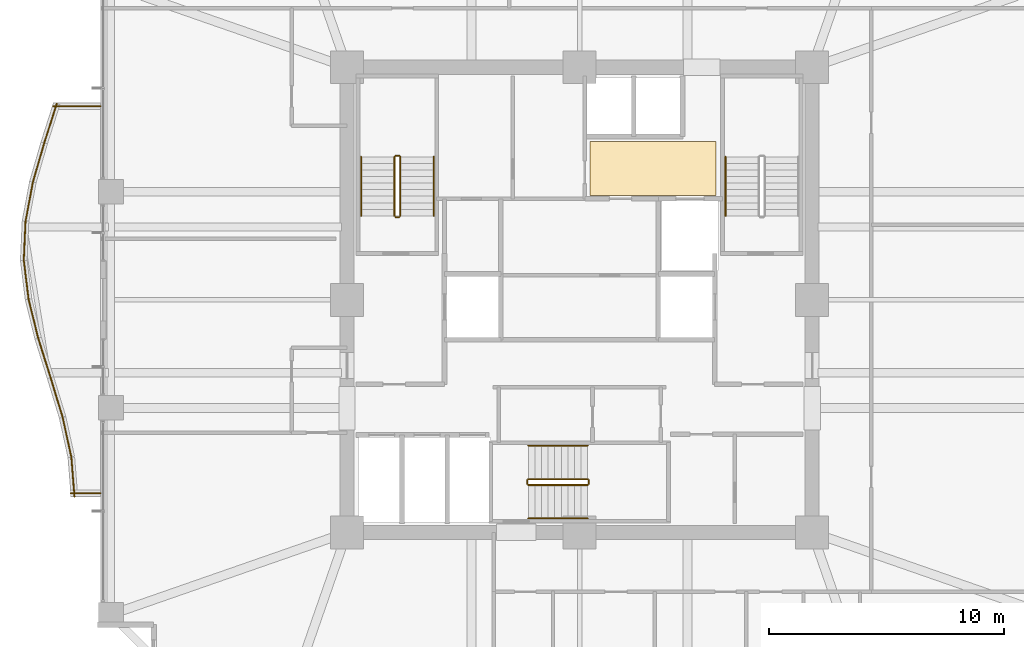
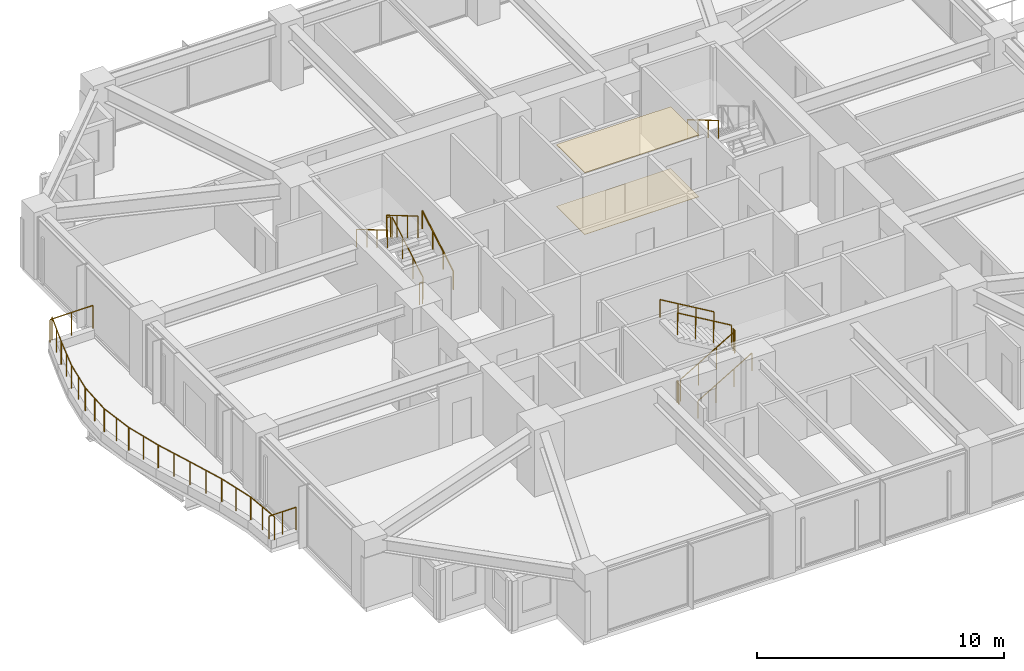
# One storey, part 35 of 36: 25 railings, 2 coverings.
"""IFC4 building model written with IfcOpenShell, lengths in metres."""

from ifc_helpers import new_model, si_unit, direction, frame, origin, origin_2d, place, context, subcontext, project, spatial, polyline, circle, outline, extrude, material, layer, layer_set, type_object, element, save


model = new_model("IFC4")

# Units and contexts
model_context = context("Model", 3, precision=1e-05, world=origin(), true_north=direction((0.0, 1.0)))
body_context = subcontext(model_context, "Body", "Model", "MODEL_VIEW")
ifc_project = project(units=[si_unit("LENGTHUNIT", "METRE"), si_unit("AREAUNIT", "SQUARE_METRE"), si_unit("VOLUMEUNIT", "CUBIC_METRE"), si_unit("PLANEANGLEUNIT", "RADIAN"), si_unit("MASSUNIT", "GRAM", prefix="KILO")], contexts=[model_context])

# Site, building, storey
site_placement = place(None, origin())
site = spatial("IfcSite", under=ifc_project, at=site_placement, CompositionType="ELEMENT")
building_placement = place(site_placement, origin())
building = spatial("IfcBuilding", under=site, at=building_placement, Name="Kolvaren Belvedere", CompositionType="ELEMENT")
storey_placement = place(building_placement, frame((0.0, 0.0, 95.300048828125)))
storey = spatial("IfcBuildingStorey", under=building, at=storey_placement, Name="L27", CompositionType="ELEMENT", Elevation=95.300048828125)

# Coverings
ifc_material_1 = material(Name="Acoustic perforated gypsum board", Category="gypsum")
ifc_layer_1 = layer(ifc_material_1, 0.02490234375)
ifc_layer_set_1 = layer_set([ifc_layer_1], Name="Acoustic perforated gypsum board")
covering_type_1 = type_object("IfcCoveringType", Name="COV-CEIL-GYP", PredefinedType="CEILING", material=ifc_layer_set_1)
covering_1_placement = place(storey_placement, frame((0.0, 0.0, 3.054931640625)))
element("IfcCovering", 1, at=covering_1_placement, inside=storey, type_object=covering_type_1, Name="L27 Lift Lobby Acoustic Baffle Ceiling", PredefinedType="CEILING", context=body_context, shape_type="SweptSolid", body=[
    extrude(outline(polyline([(0.449951171875, 4.449951171875), (5.800048828125, 4.449951171875), (5.800048828125, 6.75), (0.449951171875, 6.75), (0.449951171875, 4.449951171875)])), origin(), (0.0, 0.0, 1.0), 0.02490234375),
])
ifc_material_2 = material(Name="Engineered Pacific white oak", Category="timber")
ifc_layer_2 = layer(ifc_material_2, 0.02001953125)
ifc_layer_set_2 = layer_set([ifc_layer_2], Name="Engineered Pacific white oak")
covering_type_2 = type_object("IfcCoveringType", Name="COV-FLR-OAK", PredefinedType="FLOORING", material=ifc_layer_set_2)
covering_2_placement = place(storey_placement, origin())
element("IfcCovering", 2, at=covering_2_placement, inside=storey, type_object=covering_type_2, Name="L27 Lift Lobby Finish Flooring", PredefinedType="FLOORING", context=body_context, shape_type="SweptSolid", body=[
    extrude(outline(polyline([(0.449951171875, 4.449951171875), (5.800048828125, 4.449951171875), (5.800048828125, 6.75), (0.449951171875, 6.75), (0.449951171875, 4.449951171875)])), origin(), (0.0, 0.0, 1.0), 0.02001953125),
])

# Railings
ifc_material_3 = material(Name="Anodised pale-metal aluminium & laminated glass guard", Category="aluminium")
railing_type_1 = type_object("IfcRailingType", Name="RL-GUARD-1150", PredefinedType="GUARDRAIL", material=ifc_material_3)
railing_1_placement = place(storey_placement, frame((-22.25390625, 8.351318359375, 0.3798828125)))
element("IfcRailing", 3, at=railing_1_placement, inside=storey, type_object=railing_type_1, Name="L27 Exterior Deck Safety Guard BAL-W-1", PredefinedType="GUARDRAIL", context=body_context, shape_type="SweptSolid", body=[
    extrude(circle(Radius=0.02392578125, at=origin_2d()), frame((0.0, 0.0, 1.1259765625), z_axis=(-0.304032153573, -0.952661770826, 0.0), x_axis=(0.952661770826, -0.304032153573, 0.0)), (0.0, 0.0, 1.0), 1.763427734375),
    extrude(circle(Radius=0.02099609375, at=origin_2d()), origin(), (0.0, 0.0, 1.0), 1.101806640625),
    extrude(circle(Radius=0.02099609375, at=origin_2d()), frame((-0.26806640625, -0.83984375, 0.0)), (0.0, 0.0, 1.0), 1.101806640625),
    extrude(circle(Radius=0.02099609375, at=origin_2d()), frame((-0.5361328125, -1.679931640625, 0.0)), (0.0, 0.0, 1.0), 1.101806640625),
])
railing_2_placement = place(storey_placement, frame((-22.788818359375, 6.675537109375, 0.3798828125)))
element("IfcRailing", 4, at=railing_2_placement, inside=storey, type_object=railing_type_1, Name="L27 Exterior Deck Safety Guard BAL-W-2", PredefinedType="GUARDRAIL", context=body_context, shape_type="SweptSolid", body=[
    extrude(circle(Radius=0.02392578125, at=origin_2d()), frame((0.0, 0.0, 1.1259765625), z_axis=(-0.277817391164, -0.960633903819, 0.0), x_axis=(0.960633903819, -0.277817391164, 0.0)), (0.0, 0.0, 1.0), 1.748779296875),
    extrude(circle(Radius=0.02099609375, at=origin_2d()), origin(), (0.0, 0.0, 1.0), 1.101806640625),
    extrude(circle(Radius=0.02099609375, at=origin_2d()), frame((-0.242919921875, -0.83984375, 0.0)), (0.0, 0.0, 1.0), 1.101806640625),
    extrude(circle(Radius=0.02099609375, at=origin_2d()), frame((-0.48583984375, -1.679931640625, 0.0)), (0.0, 0.0, 1.0), 1.101806640625),
])
railing_3_placement = place(storey_placement, frame((-23.271240234375, 5.010498046875, 0.3798828125)))
element("IfcRailing", 5, at=railing_3_placement, inside=storey, type_object=railing_type_1, Name="L27 Exterior Deck Safety Guard BAL-W-3", PredefinedType="GUARDRAIL", context=body_context, shape_type="SweptSolid", body=[
    extrude(circle(Radius=0.02392578125, at=origin_2d()), frame((0.0, 0.0, 1.1259765625), z_axis=(-0.184650661912, -0.982804219087, 0.0), x_axis=(0.982804219087, -0.184650661912, 0.0)), (0.0, 0.0, 1.0), 1.70947265625),
    extrude(circle(Radius=0.02099609375, at=origin_2d()), origin(), (0.0, 0.0, 1.0), 1.101806640625),
    extrude(circle(Radius=0.02099609375, at=origin_2d()), frame((-0.15771484375, -0.840087890625, 0.0)), (0.0, 0.0, 1.0), 1.101806640625),
    extrude(circle(Radius=0.02099609375, at=origin_2d()), frame((-0.315673828125, -1.68017578125, 0.0)), (0.0, 0.0, 1.0), 1.101806640625),
])
railing_4_placement = place(storey_placement, frame((-23.58447265625, 3.352783203125, 0.3798828125)))
element("IfcRailing", 6, at=railing_4_placement, inside=storey, type_object=railing_type_1, Name="L27 Exterior Deck Safety Guard BAL-W-4", PredefinedType="GUARDRAIL", context=body_context, shape_type="SweptSolid", body=[
    extrude(circle(Radius=0.02392578125, at=origin_2d()), frame((0.0, 0.0, 1.1259765625), z_axis=(-0.045005941428, -0.998986719249, 0.0), x_axis=(0.998986719249, -0.045005941428, 0.0)), (0.0, 0.0, 1.0), 1.681640625),
    extrude(circle(Radius=0.02099609375, at=origin_2d()), origin(), (0.0, 0.0, 1.0), 1.101806640625),
    extrude(circle(Radius=0.02099609375, at=origin_2d()), frame((-0.037841796875, -0.83984375, 0.0)), (0.0, 0.0, 1.0), 1.101806640625),
    extrude(circle(Radius=0.02099609375, at=origin_2d()), frame((-0.07568359375, -1.679931640625, 0.0)), (0.0, 0.0, 1.0), 1.101806640625),
])
railing_5_placement = place(storey_placement, frame((-23.6611328125, 1.699462890625, 0.3798828125)))
element("IfcRailing", 7, at=railing_5_placement, inside=storey, type_object=railing_type_1, Name="L27 Exterior Deck Safety Guard BAL-W-5", PredefinedType="GUARDRAIL", context=body_context, shape_type="SweptSolid", body=[
    extrude(circle(Radius=0.02392578125, at=origin_2d()), frame((0.0, 0.0, 1.1259765625), z_axis=(0.121886315522, -0.99254406758, 0.0), x_axis=(0.99254406758, 0.121886315522, 0.0)), (0.0, 0.0, 1.0), 1.692626953125),
    extrude(circle(Radius=0.02099609375, at=origin_2d()), origin(), (0.0, 0.0, 1.0), 1.101806640625),
    extrude(circle(Radius=0.02099609375, at=origin_2d()), frame((0.10302734375, -0.83984375, 0.0)), (0.0, 0.0, 1.0), 1.101806640625),
    extrude(circle(Radius=0.02099609375, at=origin_2d()), frame((0.206298828125, -1.679931640625, 0.0)), (0.0, 0.0, 1.0), 1.101806640625),
])
railing_6_placement = place(storey_placement, frame((-23.458251953125, 0.038330078125, 0.3798828125)))
element("IfcRailing", 8, at=railing_6_placement, inside=storey, type_object=railing_type_1, Name="L27 Exterior Deck Safety Guard BAL-W-6", PredefinedType="GUARDRAIL", context=body_context, shape_type="SweptSolid", body=[
    extrude(circle(Radius=0.02392578125, at=origin_2d()), frame((0.0, 0.0, 1.1259765625), z_axis=(0.239180748277, -0.970975061293, 0.0), x_axis=(0.970975061293, 0.239180748277, 0.0)), (0.0, 0.0, 1.0), 1.730224609375),
    extrude(circle(Radius=0.02099609375, at=origin_2d()), origin(), (0.0, 0.0, 1.0), 1.101806640625),
    extrude(circle(Radius=0.02099609375, at=origin_2d()), frame((0.20703125, -0.83984375, 0.0)), (0.0, 0.0, 1.0), 1.101806640625),
    extrude(circle(Radius=0.02099609375, at=origin_2d()), frame((0.413818359375, -1.679931640625, 0.0)), (0.0, 0.0, 1.0), 1.101806640625),
])
railing_7_placement = place(storey_placement, frame((-23.047119140625, -1.632080078125, 0.3798828125)))
element("IfcRailing", 9, at=railing_7_placement, inside=storey, type_object=railing_type_1, Name="L27 Exterior Deck Safety Guard BAL-W-7", PredefinedType="GUARDRAIL", context=body_context, shape_type="SweptSolid", body=[
    extrude(circle(Radius=0.02392578125, at=origin_2d()), frame((0.0, 0.0, 1.1259765625), z_axis=(0.299624691176, -0.954057149461, 0.0), x_axis=(0.954057149461, 0.299624691176, 0.0)), (0.0, 0.0, 1.0), 1.7607421875),
    extrude(circle(Radius=0.02099609375, at=origin_2d()), origin(), (0.0, 0.0, 1.0), 1.101806640625),
    extrude(circle(Radius=0.02099609375, at=origin_2d()), frame((0.263671875, -0.83984375, 0.0)), (0.0, 0.0, 1.0), 1.101806640625),
    extrude(circle(Radius=0.02099609375, at=origin_2d()), frame((0.527587890625, -1.679931640625, 0.0)), (0.0, 0.0, 1.0), 1.101806640625),
])
railing_8_placement = place(storey_placement, frame((-22.51904296875, -3.3134765625, 0.3798828125)))
element("IfcRailing", 10, at=railing_8_placement, inside=storey, type_object=railing_type_1, Name="L27 Exterior Deck Safety Guard BAL-W-8", PredefinedType="GUARDRAIL", context=body_context, shape_type="SweptSolid", body=[
    extrude(circle(Radius=0.02392578125, at=origin_2d()), frame((0.0, 0.0, 1.1259765625), z_axis=(0.290879426191, -0.956759718748, 0.0), x_axis=(0.956759718748, 0.290879426191, 0.0)), (0.0, 0.0, 1.0), 1.755859375),
    extrude(circle(Radius=0.02099609375, at=origin_2d()), origin(), (0.0, 0.0, 1.0), 1.101806640625),
    extrude(circle(Radius=0.02099609375, at=origin_2d()), frame((0.25537109375, -0.83984375, 0.0)), (0.0, 0.0, 1.0), 1.101806640625),
    extrude(circle(Radius=0.02099609375, at=origin_2d()), frame((0.5107421875, -1.679931640625, 0.0)), (0.0, 0.0, 1.0), 1.101806640625),
])
railing_9_placement = place(storey_placement, frame((-22.0048828125, -5.005859375, 0.3798828125)))
element("IfcRailing", 11, at=railing_9_placement, inside=storey, type_object=railing_type_1, Name="L27 Exterior Deck Safety Guard BAL-W-9", PredefinedType="GUARDRAIL", context=body_context, shape_type="SweptSolid", body=[
    extrude(circle(Radius=0.02392578125, at=origin_2d()), frame((0.0, 0.0, 1.1259765625), z_axis=(0.213802724545, -0.976876857632, 0.0), x_axis=(0.976876857632, 0.213802724545, 0.0)), (0.0, 0.0, 1.0), 1.7197265625),
    extrude(circle(Radius=0.02099609375, at=origin_2d()), origin(), (0.0, 0.0, 1.0), 1.101806640625),
    extrude(circle(Radius=0.02099609375, at=origin_2d()), frame((0.183837890625, -0.83984375, 0.0)), (0.0, 0.0, 1.0), 1.101806640625),
    extrude(circle(Radius=0.02099609375, at=origin_2d()), frame((0.36767578125, -1.679931640625, 0.0)), (0.0, 0.0, 1.0), 1.101806640625),
])
railing_10_placement = place(storey_placement, frame((-21.634033203125, -6.707275390625, 0.3798828125)))
element("IfcRailing", 12, at=railing_10_placement, inside=storey, type_object=railing_type_1, Name="L27 Exterior Deck Safety Guard BAL-W-10", PredefinedType="GUARDRAIL", context=body_context, shape_type="SweptSolid", body=[
    extrude(circle(Radius=0.02392578125, at=origin_2d()), frame((0.0, 0.0, 1.1259765625), z_axis=(0.079244268248, -0.99685522818, 0.0), x_axis=(0.99685522818, 0.079244268248, 0.0)), (0.0, 0.0, 1.0), 1.685302734375),
    extrude(circle(Radius=0.02099609375, at=origin_2d()), origin(), (0.0, 0.0, 1.0), 1.101806640625),
    extrude(circle(Radius=0.02099609375, at=origin_2d()), frame((0.06689453125, -0.83984375, 0.0)), (0.0, 0.0, 1.0), 1.101806640625),
    extrude(circle(Radius=0.02099609375, at=origin_2d()), frame((0.133544921875, -1.679931640625, 0.0)), (0.0, 0.0, 1.0), 1.101806640625),
])
railing_11_placement = place(storey_placement, frame((-21.659912109375, -8.239990234375, 0.3798828125)))
element("IfcRailing", 13, at=railing_11_placement, inside=storey, type_object=railing_type_1, Name="L27 Exterior Deck Safety Guard BAL-W-11", PredefinedType="GUARDRAIL", context=body_context, shape_type="SweptSolid", body=[
    extrude(circle(Radius=0.02392578125, at=origin_2d()), frame((0.0, 0.0, 1.1259765625), z_axis=(1.0, 0.0, 0.0), x_axis=(0.0, 1.0, 0.0)), (0.0, 0.0, 1.0), 1.260009765625),
    extrude(circle(Radius=0.02099609375, at=origin_2d()), origin(), (0.0, 0.0, 1.0), 1.101806640625),
    extrude(circle(Radius=0.02099609375, at=origin_2d()), frame((0.6298828125, 0.0, 0.0)), (0.0, 0.0, 1.0), 1.101806640625),
    extrude(circle(Radius=0.02099609375, at=origin_2d()), frame((1.260009765625, 0.0, 0.0)), (0.0, 0.0, 1.0), 1.101806640625),
])
railing_12_placement = place(storey_placement, frame((-20.39990234375, 8.239990234375, 0.3798828125)))
element("IfcRailing", 14, at=railing_12_placement, inside=storey, type_object=railing_type_1, Name="L27 Exterior Deck Safety Guard BAL-W-22", PredefinedType="GUARDRAIL", context=body_context, shape_type="SweptSolid", body=[
    extrude(circle(Radius=0.02392578125, at=origin_2d()), frame((0.0, 0.0, 1.1259765625), z_axis=(-1.0, 0.0, 0.0), x_axis=(0.0, -1.0, 0.0)), (0.0, 0.0, 1.0), 2.00634765625),
    extrude(circle(Radius=0.02099609375, at=origin_2d()), origin(), (0.0, 0.0, 1.0), 1.101806640625),
    extrude(circle(Radius=0.02099609375, at=origin_2d()), frame((-1.003173828125, 0.0, 0.0)), (0.0, 0.0, 1.0), 1.101806640625),
    extrude(circle(Radius=0.02099609375, at=origin_2d()), frame((-2.00634765625, 0.0, 0.0)), (0.0, 0.0, 1.0), 1.101806640625),
])
ifc_material_4 = material(Name="Brushed stainless-steel handrail", Category="steel")
railing_type_2 = type_object("IfcRailingType", Name="RL-HANDRAIL-920", PredefinedType="HANDRAIL", material=ifc_material_4)
railing_13_placement = place(storey_placement, frame((-6.2099609375, 3.570068359375, 0.1650390625)))
element("IfcRailing", 15, at=railing_13_placement, inside=storey, type_object=railing_type_2, Name="L27 ST-1 stair handrail 1", PredefinedType="HANDRAIL", context=body_context, shape_type="SweptSolid", body=[
    extrude(circle(Radius=0.02392578125, at=origin_2d()), frame((0.0, 0.0, 0.8759765625), z_axis=(0.0, 0.861560626758, 0.507654692109), x_axis=(-1.0, 0.0, 0.0)), (0.0, 0.0, 1.0), 2.925048828125),
    extrude(circle(Radius=0.02099609375, at=origin_2d()), origin(), (0.0, 0.0, 1.0), 0.851806640625),
    extrude(circle(Radius=0.02099609375, at=origin_2d()), frame((0.0, 0.840087890625, 0.494873046875)), (0.0, 0.0, 1.0), 0.851806640625),
    extrude(circle(Radius=0.02099609375, at=origin_2d()), frame((0.0, 1.679931640625, 0.989990234375)), (0.0, 0.0, 1.0), 0.851806640625),
    extrude(circle(Radius=0.02099609375, at=origin_2d()), frame((0.0, 2.52001953125, 1.48486328125)), (0.0, 0.0, 1.0), 0.851806640625),
])
for number, where, name in (
    (16, (-9.300048828125, 6.090087890625, 1.81494140625), "L27 ST-1 stair handrail 2"),
    (17, (6.2099609375, 6.090087890625, 1.81494140625), "L27 ST-2 stair handrail 2"),
):
    element("IfcRailing", number, at=place(storey_placement, frame(where)), inside=storey, type_object=railing_type_2, Name=name, PredefinedType="HANDRAIL", context=body_context, shape_type="SweptSolid", body=[
        extrude(circle(Radius=0.02392578125, at=origin_2d()), frame((0.0, 0.0, 0.8759765625), z_axis=(0.0, -0.86152411907, 0.507716645641), x_axis=(1.0, 0.0, 0.0)), (0.0, 0.0, 1.0), 2.925048828125),
        extrude(circle(Radius=0.02099609375, at=origin_2d()), origin(), (0.0, 0.0, 1.0), 0.851806640625),
        extrude(circle(Radius=0.02099609375, at=origin_2d()), frame((0.0, -0.840087890625, 0.4951171875)), (0.0, 0.0, 1.0), 0.851806640625),
        extrude(circle(Radius=0.02099609375, at=origin_2d()), frame((0.0, -1.679931640625, 0.989990234375)), (0.0, 0.0, 1.0), 0.851806640625),
        extrude(circle(Radius=0.02099609375, at=origin_2d()), frame((0.0, -2.52001953125, 1.485107421875)), (0.0, 0.0, 1.0), 0.851806640625),
    ])
railing_14_placement = place(storey_placement, frame((-2.179931640625, -9.300048828125, 0.1650390625)))
element("IfcRailing", 18, at=railing_14_placement, inside=storey, type_object=railing_type_2, Name="L27 ST-3 stair handrail 1", PredefinedType="HANDRAIL", context=body_context, shape_type="SweptSolid", body=[
    extrude(circle(Radius=0.02392578125, at=origin_2d()), frame((0.0, 0.0, 0.8759765625), z_axis=(0.861560626758, 0.0, 0.507654692109), x_axis=(0.0, 1.0, 0.0)), (0.0, 0.0, 1.0), 2.925048828125),
    extrude(circle(Radius=0.02099609375, at=origin_2d()), origin(), (0.0, 0.0, 1.0), 0.851806640625),
    extrude(circle(Radius=0.02099609375, at=origin_2d()), frame((0.840087890625, 0.0, 0.494873046875)), (0.0, 0.0, 1.0), 0.851806640625),
    extrude(circle(Radius=0.02099609375, at=origin_2d()), frame((1.679931640625, 0.0, 0.989990234375)), (0.0, 0.0, 1.0), 0.851806640625),
    extrude(circle(Radius=0.02099609375, at=origin_2d()), frame((2.52001953125, 0.0, 1.48486328125)), (0.0, 0.0, 1.0), 0.851806640625),
])
railing_15_placement = place(storey_placement, frame((0.340087890625, -6.2099609375, 1.81494140625)))
element("IfcRailing", 19, at=railing_15_placement, inside=storey, type_object=railing_type_2, Name="L27 ST-3 stair handrail 2", PredefinedType="HANDRAIL", context=body_context, shape_type="SweptSolid", body=[
    extrude(circle(Radius=0.02392578125, at=origin_2d()), frame((0.0, 0.0, 0.8759765625), z_axis=(-0.86152411907, 0.0, 0.507716645641), x_axis=(0.0, -1.0, 0.0)), (0.0, 0.0, 1.0), 2.925048828125),
    extrude(circle(Radius=0.02099609375, at=origin_2d()), origin(), (0.0, 0.0, 1.0), 0.851806640625),
    extrude(circle(Radius=0.02099609375, at=origin_2d()), frame((-0.840087890625, 0.0, 0.4951171875)), (0.0, 0.0, 1.0), 0.851806640625),
    extrude(circle(Radius=0.02099609375, at=origin_2d()), frame((-1.679931640625, 0.0, 0.989990234375)), (0.0, 0.0, 1.0), 0.851806640625),
    extrude(circle(Radius=0.02099609375, at=origin_2d()), frame((-2.52001953125, 0.0, 1.485107421875)), (0.0, 0.0, 1.0), 0.851806640625),
])
ifc_material_5 = material(Name="Painted tubular steel stair guard", Category="steel")
railing_type_3 = type_object("IfcRailingType", Name="RL-STGUARD-1100", PredefinedType="GUARDRAIL", material=ifc_material_5)
railing_16_placement = place(storey_placement, frame((-7.6298828125, 3.570068359375, 0.1650390625)))
element("IfcRailing", 20, at=railing_16_placement, inside=storey, type_object=railing_type_3, Name="L27 ST-1 stair guard 1", PredefinedType="GUARDRAIL", context=body_context, shape_type="SweptSolid", body=[
    extrude(circle(Radius=0.02392578125, at=origin_2d()), frame((0.0, 0.0, 1.076171875), z_axis=(0.0, 0.861560626758, 0.507654692109), x_axis=(-1.0, 0.0, 0.0)), (0.0, 0.0, 1.0), 2.925048828125),
    extrude(circle(Radius=0.02099609375, at=origin_2d()), origin(), (0.0, 0.0, 1.0), 1.052001953125),
    extrude(circle(Radius=0.02099609375, at=origin_2d()), frame((0.0, 0.840087890625, 0.494873046875)), (0.0, 0.0, 1.0), 1.052001953125),
    extrude(circle(Radius=0.02099609375, at=origin_2d()), frame((0.0, 1.679931640625, 0.989990234375)), (0.0, 0.0, 1.0), 1.052001953125),
    extrude(circle(Radius=0.02099609375, at=origin_2d()), frame((0.0, 2.52001953125, 1.48486328125)), (0.0, 0.0, 1.0), 1.052001953125),
])
railing_17_placement = place(storey_placement, frame((-7.679931640625, 6.139892578125, 1.64990234375)))
element("IfcRailing", 21, at=railing_17_placement, inside=storey, type_object=railing_type_3, Name="L27 ST-1 stair guard 2", PredefinedType="GUARDRAIL", context=body_context, shape_type="SweptSolid", body=[
    extrude(circle(Radius=0.02392578125, at=origin_2d()), frame((0.0, 0.0, 1.076171875), z_axis=(-1.0, 0.0, 0.0), x_axis=(0.0, -1.0, 0.0)), (0.0, 0.0, 1.0), 0.150146484375),
    extrude(circle(Radius=0.02099609375, at=origin_2d()), origin(), (0.0, 0.0, 1.0), 1.052001953125),
    extrude(circle(Radius=0.02099609375, at=origin_2d()), frame((-0.150146484375, 0.0, 0.0)), (0.0, 0.0, 1.0), 1.052001953125),
])
railing_18_placement = place(storey_placement, frame((-7.8798828125, 6.090087890625, 1.81494140625)))
element("IfcRailing", 22, at=railing_18_placement, inside=storey, type_object=railing_type_3, Name="L27 ST-1 stair guard 3", PredefinedType="GUARDRAIL", context=body_context, shape_type="SweptSolid", body=[
    extrude(circle(Radius=0.02392578125, at=origin_2d()), frame((0.0, 0.0, 1.076171875), z_axis=(0.0, -0.86152411907, 0.507716645641), x_axis=(1.0, 0.0, 0.0)), (0.0, 0.0, 1.0), 2.925048828125),
    extrude(circle(Radius=0.02099609375, at=origin_2d()), origin(), (0.0, 0.0, 1.0), 1.052001953125),
    extrude(circle(Radius=0.02099609375, at=origin_2d()), frame((0.0, -0.840087890625, 0.4951171875)), (0.0, 0.0, 1.0), 1.052001953125),
    extrude(circle(Radius=0.02099609375, at=origin_2d()), frame((0.0, -1.679931640625, 0.989990234375)), (0.0, 0.0, 1.0), 1.052001953125),
    extrude(circle(Radius=0.02099609375, at=origin_2d()), frame((0.0, -2.52001953125, 1.485107421875)), (0.0, 0.0, 1.0), 1.052001953125),
])
railing_19_placement = place(storey_placement, frame((-7.679931640625, 3.52001953125, 0.0)))
element("IfcRailing", 23, at=railing_19_placement, inside=storey, type_object=railing_type_3, Name="L27 ST-1 stair guard 4", PredefinedType="GUARDRAIL", context=body_context, shape_type="SweptSolid", body=[
    extrude(circle(Radius=0.02392578125, at=origin_2d()), frame((0.0, 0.0, 1.076171875), z_axis=(-1.0, 0.0, 0.0), x_axis=(0.0, -1.0, 0.0)), (0.0, 0.0, 1.0), 0.150146484375),
    extrude(circle(Radius=0.02099609375, at=origin_2d()), origin(), (0.0, 0.0, 1.0), 1.052001953125),
    extrude(circle(Radius=0.02099609375, at=origin_2d()), frame((-0.150146484375, 0.0, 0.0)), (0.0, 0.0, 1.0), 1.052001953125),
])
railing_20_placement = place(storey_placement, frame((-2.179931640625, -7.8798828125, 0.1650390625)))
element("IfcRailing", 24, at=railing_20_placement, inside=storey, type_object=railing_type_3, Name="L27 ST-3 stair guard 1", PredefinedType="GUARDRAIL", context=body_context, shape_type="SweptSolid", body=[
    extrude(circle(Radius=0.02392578125, at=origin_2d()), frame((0.0, 0.0, 1.076171875), z_axis=(0.861560626758, 0.0, 0.507654692109), x_axis=(0.0, 1.0, 0.0)), (0.0, 0.0, 1.0), 2.925048828125),
    extrude(circle(Radius=0.02099609375, at=origin_2d()), origin(), (0.0, 0.0, 1.0), 1.052001953125),
    extrude(circle(Radius=0.02099609375, at=origin_2d()), frame((0.840087890625, 0.0, 0.494873046875)), (0.0, 0.0, 1.0), 1.052001953125),
    extrude(circle(Radius=0.02099609375, at=origin_2d()), frame((1.679931640625, 0.0, 0.989990234375)), (0.0, 0.0, 1.0), 1.052001953125),
    extrude(circle(Radius=0.02099609375, at=origin_2d()), frame((2.52001953125, 0.0, 1.48486328125)), (0.0, 0.0, 1.0), 1.052001953125),
])
railing_21_placement = place(storey_placement, frame((0.389892578125, -7.830078125, 1.64990234375)))
element("IfcRailing", 25, at=railing_21_placement, inside=storey, type_object=railing_type_3, Name="L27 ST-3 stair guard 2", PredefinedType="GUARDRAIL", context=body_context, shape_type="SweptSolid", body=[
    extrude(circle(Radius=0.02392578125, at=origin_2d()), frame((0.0, 0.0, 1.076171875), z_axis=(0.0, 1.0, 0.0), x_axis=(-1.0, 0.0, 0.0)), (0.0, 0.0, 1.0), 0.150146484375),
    extrude(circle(Radius=0.02099609375, at=origin_2d()), origin(), (0.0, 0.0, 1.0), 1.052001953125),
    extrude(circle(Radius=0.02099609375, at=origin_2d()), frame((0.0, 0.150146484375, 0.0)), (0.0, 0.0, 1.0), 1.052001953125),
])
railing_22_placement = place(storey_placement, frame((0.340087890625, -7.6298828125, 1.81494140625)))
element("IfcRailing", 26, at=railing_22_placement, inside=storey, type_object=railing_type_3, Name="L27 ST-3 stair guard 3", PredefinedType="GUARDRAIL", context=body_context, shape_type="SweptSolid", body=[
    extrude(circle(Radius=0.02392578125, at=origin_2d()), frame((0.0, 0.0, 1.076171875), z_axis=(-0.86152411907, 0.0, 0.507716645641), x_axis=(0.0, -1.0, 0.0)), (0.0, 0.0, 1.0), 2.925048828125),
    extrude(circle(Radius=0.02099609375, at=origin_2d()), origin(), (0.0, 0.0, 1.0), 1.052001953125),
    extrude(circle(Radius=0.02099609375, at=origin_2d()), frame((-0.840087890625, 0.0, 0.4951171875)), (0.0, 0.0, 1.0), 1.052001953125),
    extrude(circle(Radius=0.02099609375, at=origin_2d()), frame((-1.679931640625, 0.0, 0.989990234375)), (0.0, 0.0, 1.0), 1.052001953125),
    extrude(circle(Radius=0.02099609375, at=origin_2d()), frame((-2.52001953125, 0.0, 1.485107421875)), (0.0, 0.0, 1.0), 1.052001953125),
])
railing_23_placement = place(storey_placement, frame((-2.22998046875, -7.830078125, 0.0)))
element("IfcRailing", 27, at=railing_23_placement, inside=storey, type_object=railing_type_3, Name="L27 ST-3 stair guard 4", PredefinedType="GUARDRAIL", context=body_context, shape_type="SweptSolid", body=[
    extrude(circle(Radius=0.02392578125, at=origin_2d()), frame((0.0, 0.0, 1.076171875), z_axis=(0.0, 1.0, 0.0), x_axis=(-1.0, 0.0, 0.0)), (0.0, 0.0, 1.0), 0.150146484375),
    extrude(circle(Radius=0.02099609375, at=origin_2d()), origin(), (0.0, 0.0, 1.0), 1.052001953125),
    extrude(circle(Radius=0.02099609375, at=origin_2d()), frame((0.0, 0.150146484375, 0.0)), (0.0, 0.0, 1.0), 1.052001953125),
])

save(model, "model.ifc")
